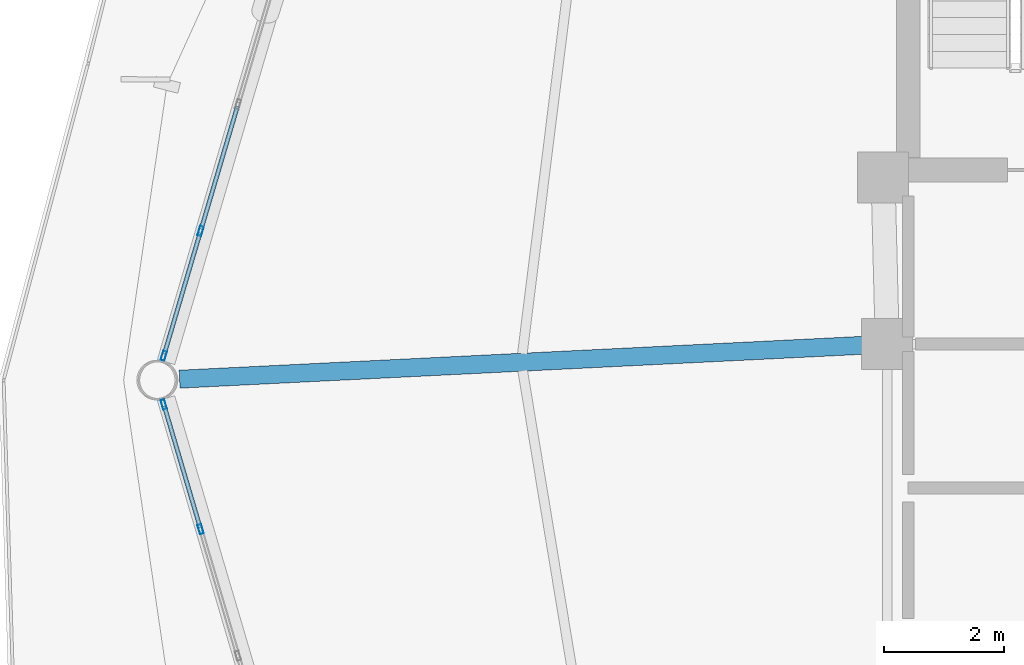
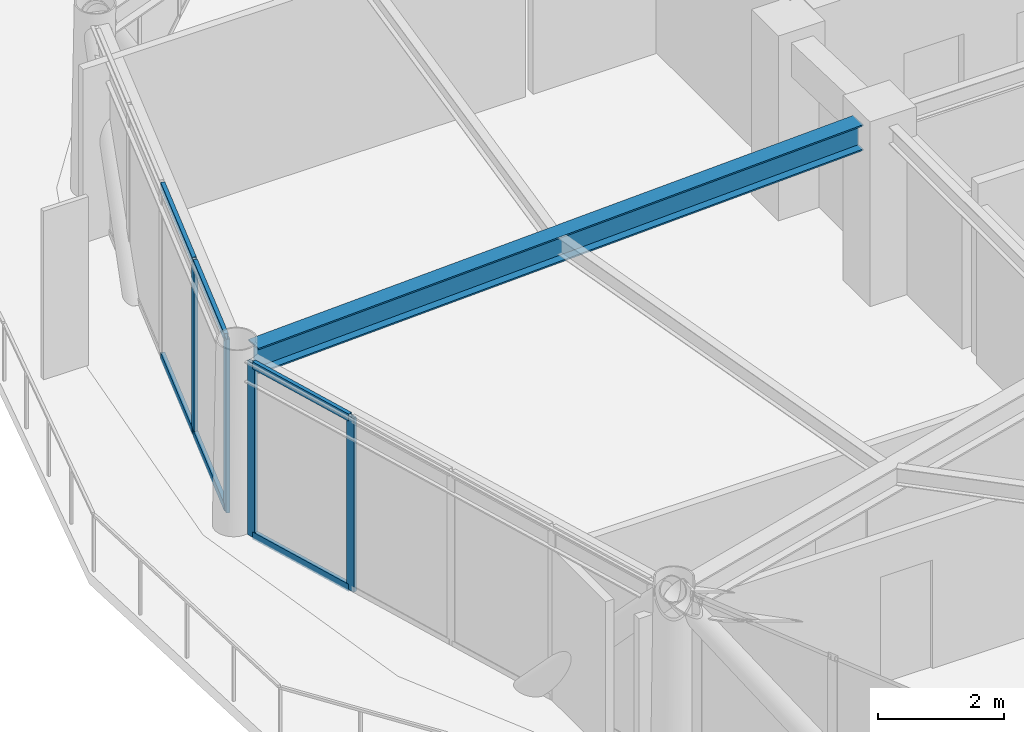
# One storey, part 11 of 28: 10 members, 1 beam, 2 elements without a shape of their own.
"""IFC4 building model written with IfcOpenShell, lengths in metres."""

from ifc_helpers import new_model, si_unit, direction, frame, origin, origin_2d, place, context, subcontext, project, spatial, hollow_rectangle, i_section, extrude, material, layer, layer_set, material_profile, profile_set, type_object, element, aggregate, save


model = new_model("IFC4")

# Units and contexts
model_context = context("Model", 3, precision=1e-05, world=origin(), true_north=direction((0.0, 1.0)))
body_context = subcontext(model_context, "Body", "Model", "MODEL_VIEW")
ifc_project = project(units=[si_unit("LENGTHUNIT", "METRE"), si_unit("AREAUNIT", "SQUARE_METRE"), si_unit("VOLUMEUNIT", "CUBIC_METRE"), si_unit("PLANEANGLEUNIT", "RADIAN"), si_unit("MASSUNIT", "GRAM", prefix="KILO")], contexts=[model_context])

# Site, building, storey
site_placement = place(None, origin())
site = spatial("IfcSite", under=ifc_project, at=site_placement, CompositionType="ELEMENT")
building_placement = place(site_placement, origin())
building = spatial("IfcBuilding", under=site, at=building_placement, Name="Varnakorn Sky Granary", CompositionType="ELEMENT")
storey_placement = place(building_placement, frame((0.0, 0.0, 200.39990234375)))
storey = spatial("IfcBuildingStorey", under=building, at=storey_placement, Name="L50", CompositionType="ELEMENT", Elevation=200.39990234375)

# Beam
ifc_material_1 = material(Name="Steel S355JR", Category="steel")
ifc_material_profile_1 = material_profile(ifc_material_1, i_section(OverallWidth=0.300048828125, OverallDepth=0.5, WebThickness=0.014404296875, FlangeThickness=0.028076171875, at=origin_2d()), Name="HE 500 B")
ifc_profile_set_1 = profile_set([ifc_material_profile_1], Name="Steel S355JR")
beam_type = type_object("IfcBeamType", Name="BM-RAD-Z4", PredefinedType="BEAM", material=ifc_profile_set_1)
beam_placement = place(storey_placement, frame((-2.75439453125, 0.580078125, 3.110107421875), z_axis=(-0.99877408093, -0.049500861221, 0.0), x_axis=(0.049500861221, -0.99877408093, 0.0)))
element("IfcBeam", 1, at=beam_placement, inside=storey, type_object=beam_type, Name="Radial Floor Girder RG07 L50", PredefinedType="BEAM", context=body_context, shape_type="SweptSolid", body=[
    extrude(i_section(OverallWidth=0.300048828125, OverallDepth=0.5, WebThickness=0.014404296875, FlangeThickness=0.028076171875, at=origin_2d()), origin(), (0.0, 0.0, 1.0), 11.40283203125),
])

# Curtain wall, members
ifc_material_2 = material(Name="Anodised Bronze Aluminium Alloy 6063-T6", Category="aluminium")
ifc_layer = layer(ifc_material_2, 0.169921875, Name="Anodised Bronze Aluminium Alloy 6063-T6")
ifc_layer_set = layer_set([ifc_layer], Name="Anodised Bronze Aluminium Alloy 6063-T6")
curtain_wall_type = type_object("IfcCurtainWallType", Name="CW-LAB-1", PredefinedType="USERDEFINED", material=ifc_layer_set)
curtain_wall_1_placement = place(storey_placement, origin())
curtain_wall_1 = element("IfcCurtainWall", 2, at=curtain_wall_1_placement, inside=storey, type_object=curtain_wall_type, Name="Unitised Curtain Wall CW5 CW-L50-B06", ObjectType="CURTAIN WALL", PredefinedType="USERDEFINED")
ifc_material_profile_2 = material_profile(ifc_material_2, hollow_rectangle(XDim=0.06494140625, YDim=0.159912109375, WallThickness=0.00341796875, at=origin_2d()), Name="ALU MULL 65x160")
ifc_profile_set_2 = profile_set([ifc_material_profile_2], Name="Anodised Bronze Aluminium Alloy 6063-T6")
member_type_1 = type_object("IfcMemberType", Name="CW-LAB-1-MULL", PredefinedType="MULLION", material=ifc_profile_set_2)
member_1_placement = place(storey_placement, frame((-14.406494140625, 0.4052734375, 0.0), z_axis=(0.0, 0.0, 1.0), x_axis=(-0.959077331245, 0.283144261272, 0.0)))
member_1 = element("IfcMember", 3, at=member_1_placement, type_object=member_type_1, Name="CW5 mullion 1", PredefinedType="MULLION", context=body_context, shape_type="SweptSolid", body=[
    extrude(hollow_rectangle(XDim=0.06494140625, YDim=0.159912109375, WallThickness=0.00341796875, at=origin_2d()), origin(), (0.0, 0.0, 1.0), 3.360107421875),
])
member_2_placement = place(storey_placement, frame((-13.79248046875, 2.484130859375, 0.0), z_axis=(0.0, 0.0, 1.0), x_axis=(-0.959077331245, 0.283144261272, 0.0)))
member_2 = element("IfcMember", 4, at=member_2_placement, type_object=member_type_1, Name="CW5 mullion 2", PredefinedType="MULLION", context=body_context, shape_type="SweptSolid", body=[
    extrude(hollow_rectangle(XDim=0.06494140625, YDim=0.159912109375, WallThickness=0.00341796875, at=origin_2d()), origin(), (0.0, 0.0, 1.0), 3.360107421875),
])

curtain_wall_2_placement = place(storey_placement, origin())
curtain_wall_2 = element("IfcCurtainWall", 5, at=curtain_wall_2_placement, inside=storey, type_object=curtain_wall_type, Name="Unitised Curtain Wall CW5 CW-L50-B07", ObjectType="CURTAIN WALL", PredefinedType="USERDEFINED")
member_3_placement = place(storey_placement, frame((-13.79248046875, -2.484130859375, 0.0), z_axis=(0.0, 0.0, 1.0), x_axis=(-0.959077331245, -0.283144261272, 0.0)))
member_3 = element("IfcMember", 6, at=member_3_placement, type_object=member_type_1, Name="CW5 mullion 4", PredefinedType="MULLION", context=body_context, shape_type="SweptSolid", body=[
    extrude(hollow_rectangle(XDim=0.06494140625, YDim=0.159912109375, WallThickness=0.00341796875, at=origin_2d()), origin(), (0.0, 0.0, 1.0), 3.360107421875),
])
member_4_placement = place(storey_placement, frame((-14.406494140625, -0.4052734375, 0.0), z_axis=(0.0, 0.0, 1.0), x_axis=(-0.959077331245, -0.283144261272, 0.0)))
member_4 = element("IfcMember", 7, at=member_4_placement, type_object=member_type_1, Name="CW5 mullion 5", PredefinedType="MULLION", context=body_context, shape_type="SweptSolid", body=[
    extrude(hollow_rectangle(XDim=0.06494140625, YDim=0.159912109375, WallThickness=0.00341796875, at=origin_2d()), origin(), (0.0, 0.0, 1.0), 3.360107421875),
])

# Member
ifc_material_profile_3 = material_profile(ifc_material_2, hollow_rectangle(XDim=0.070068359375, YDim=0.139892578125, WallThickness=0.00341796875, at=origin_2d()), Name="ALU TRAN 70x140")
ifc_profile_set_3 = profile_set([ifc_material_profile_3], Name="Anodised Bronze Aluminium Alloy 6063-T6")
member_type_2 = type_object("IfcMemberType", Name="CW-LAB-1-TRAN", PredefinedType="USERDEFINED", material=ifc_profile_set_3)
member_5_placement = place(storey_placement, frame((-14.397216796875, 0.436279296875, 0.03515625), z_axis=(0.283159278241, 0.959072897723, 0.0), x_axis=(-0.959072897723, 0.283159278241, 0.0)))
member_5 = element("IfcMember", 8, at=member_5_placement, type_object=member_type_2, Name="CW5 transom 1.1", ObjectType="TRANSOM", PredefinedType="USERDEFINED", context=body_context, shape_type="SweptSolid", body=[
    extrude(hollow_rectangle(XDim=0.070068359375, YDim=0.139892578125, WallThickness=0.00341796875, at=origin_2d()), origin(), (0.0, 0.0, 1.0), 2.10302734375),
])

member_6_placement = place(storey_placement, frame((-14.397216796875, 0.436279296875, 3.3251953125), z_axis=(0.283159278241, 0.959072897723, 0.0), x_axis=(-0.959072897723, 0.283159278241, 0.0)))
member_6 = element("IfcMember", 9, at=member_6_placement, type_object=member_type_2, Name="CW5 transom 1.2", ObjectType="TRANSOM", PredefinedType="USERDEFINED", context=body_context, shape_type="SweptSolid", body=[
    extrude(hollow_rectangle(XDim=0.070068359375, YDim=0.139892578125, WallThickness=0.00341796875, at=origin_2d()), origin(), (0.0, 0.0, 1.0), 2.10302734375),
])

member_7_placement = place(storey_placement, frame((-13.783447265625, 2.515380859375, 0.03515625), z_axis=(0.283212301715, 0.959057241335, 0.0), x_axis=(-0.959057241335, 0.283212301715, 0.0)))
member_7 = element("IfcMember", 10, at=member_7_placement, type_object=member_type_2, Name="CW5 transom 2.1", ObjectType="TRANSOM", PredefinedType="USERDEFINED", context=body_context, shape_type="SweptSolid", body=[
    extrude(hollow_rectangle(XDim=0.070068359375, YDim=0.139892578125, WallThickness=0.00341796875, at=origin_2d()), origin(), (0.0, 0.0, 1.0), 2.13525390625),
])

member_8_placement = place(storey_placement, frame((-13.783447265625, 2.515380859375, 3.3251953125), z_axis=(0.283212301715, 0.959057241335, 0.0), x_axis=(-0.959057241335, 0.283212301715, 0.0)))
member_8 = element("IfcMember", 11, at=member_8_placement, type_object=member_type_2, Name="CW5 transom 2.2", ObjectType="TRANSOM", PredefinedType="USERDEFINED", context=body_context, shape_type="SweptSolid", body=[
    extrude(hollow_rectangle(XDim=0.070068359375, YDim=0.139892578125, WallThickness=0.00341796875, at=origin_2d()), origin(), (0.0, 0.0, 1.0), 2.13525390625),
])

aggregate(curtain_wall_1, [member_1, member_2, member_5, member_6, member_7, member_8])

member_9_placement = place(storey_placement, frame((-13.8017578125, -2.453125, 0.03515625), z_axis=(-0.283159278241, 0.959072897723, 0.0), x_axis=(-0.959072897723, -0.283159278241, 0.0)))
member_9 = element("IfcMember", 12, at=member_9_placement, type_object=member_type_2, Name="CW5 transom 4.1", ObjectType="TRANSOM", PredefinedType="USERDEFINED", context=body_context, shape_type="SweptSolid", body=[
    extrude(hollow_rectangle(XDim=0.070068359375, YDim=0.139892578125, WallThickness=0.00341796875, at=origin_2d()), origin(), (0.0, 0.0, 1.0), 2.10302734375),
])

member_10_placement = place(storey_placement, frame((-13.8017578125, -2.453125, 3.3251953125), z_axis=(-0.283159278241, 0.959072897723, 0.0), x_axis=(-0.959072897723, -0.283159278241, 0.0)))
member_10 = element("IfcMember", 13, at=member_10_placement, type_object=member_type_2, Name="CW5 transom 4.2", ObjectType="TRANSOM", PredefinedType="USERDEFINED", context=body_context, shape_type="SweptSolid", body=[
    extrude(hollow_rectangle(XDim=0.070068359375, YDim=0.139892578125, WallThickness=0.00341796875, at=origin_2d()), origin(), (0.0, 0.0, 1.0), 2.10302734375),
])

aggregate(curtain_wall_2, [member_3, member_4, member_9, member_10])

save(model, "model.ifc")
